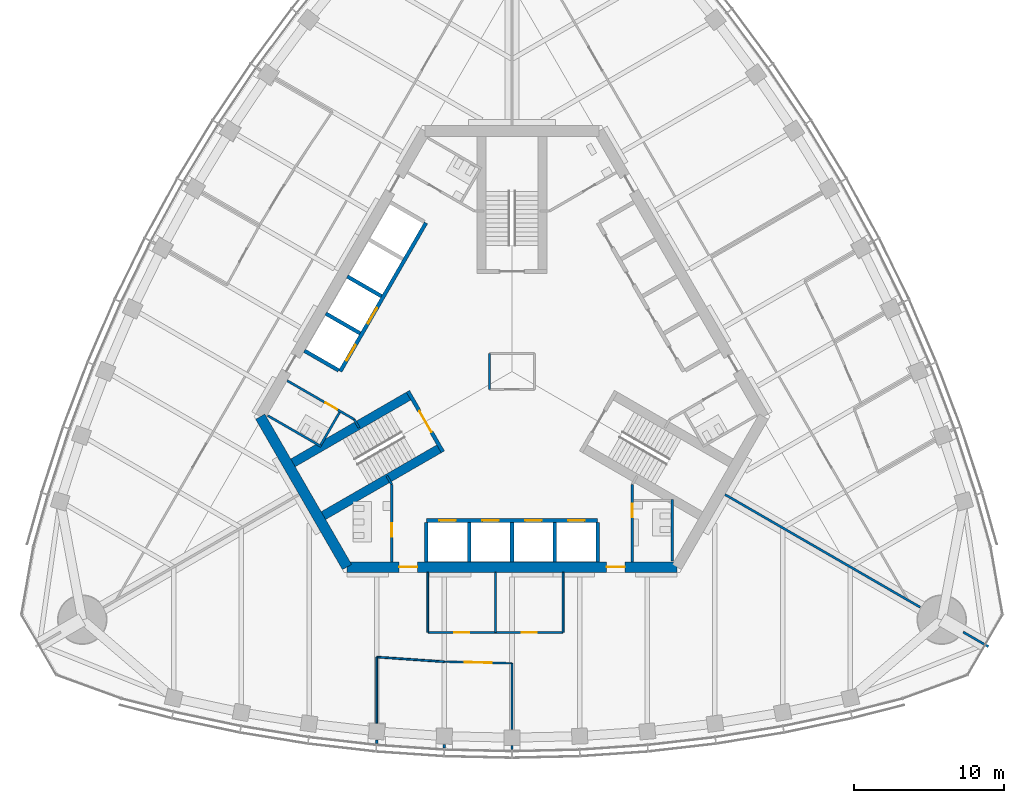
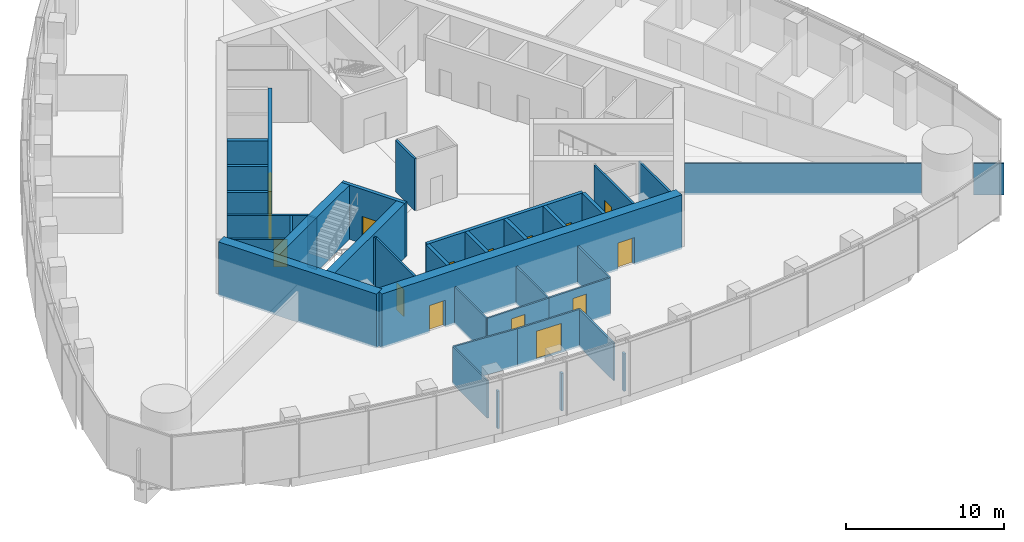
# One storey, part 11 of 19: 38 walls, 15 doors, 15 openings.
"""IFC4 building model written with IfcOpenShell, lengths in metres."""

from ifc_helpers import new_model, si_unit, direction, frame, frame_2d, origin, place, context, subcontext, project, spatial, rectangle, extrude, material, layer, layer_set, type_object, element, fill, save


model = new_model("IFC4")

# Units and contexts
model_context = context("Model", 3, precision=1e-05, world=origin(), true_north=direction((0.0, 1.0)))
body_context = subcontext(model_context, "Body", "Model", "MODEL_VIEW")
ifc_project = project(units=[si_unit("LENGTHUNIT", "METRE"), si_unit("AREAUNIT", "SQUARE_METRE"), si_unit("VOLUMEUNIT", "CUBIC_METRE"), si_unit("PLANEANGLEUNIT", "RADIAN"), si_unit("MASSUNIT", "GRAM", prefix="KILO")], contexts=[model_context])

# Site, building, storey
site_placement = place(None, origin())
site = spatial("IfcSite", under=ifc_project, at=site_placement, CompositionType="ELEMENT")
building_placement = place(site_placement, origin())
building = spatial("IfcBuilding", under=site, at=building_placement, Name="Trefoil Bronze Tower", CompositionType="ELEMENT")
storey_placement = place(building_placement, frame((0.0, 0.0, 240.10009765625)))
storey = spatial("IfcBuildingStorey", under=building, at=storey_placement, Name="L55", CompositionType="ELEMENT", Elevation=240.10009765625)

# Wall, openings, doors
ifc_material_1 = material(Name="Concrete B80", Category="concrete")
ifc_layer_1 = layer(ifc_material_1, 0.699951171875)
ifc_layer_set_1 = layer_set([ifc_layer_1], Name="Core wall 700")
wall_type_1 = type_object("IfcWallType", Name="Core wall 700", PredefinedType="SHEAR", material=ifc_layer_set_1)
wall_1_placement = place(storey_placement, frame((-10.9697265625, -13.0, 0.0), z_axis=(0.0, 0.0, 1.0), x_axis=(1.0, 0.0, 0.0)))
wall_1 = element("IfcWall", 1, at=wall_1_placement, inside=storey, type_object=wall_type_1, Name="Core long wall 1 L55", PredefinedType="SHEAR", context=body_context, shape_type="SweptSolid", body=[
    extrude(rectangle(XDim=21.939453125, YDim=0.699951171875, at=frame_2d((10.9697265625, 0.0))), origin(), (0.0, 0.0, 1.0), 4.199951171875),
])
opening_1_placement = place(wall_1_placement, frame((17.269775390625, 0.0, 0.0)))
opening_1 = element("IfcOpeningElement", 2, at=opening_1_placement, cuts=wall_1, Name="Opening D2", PredefinedType="OPENING", context=body_context, shape_type="SweptSolid", body=[
    extrude(rectangle(XDim=1.199951171875, YDim=2.10009765625, at=frame_2d((0.60009765625, 1.050048828125))), frame((0.0, 0.35986328125, 0.0), z_axis=(0.0, -1.0, 0.0), x_axis=(1.0, 0.0, 0.0)), (0.0, 0.0, 1.0), 0.719970703125),
])
opening_2_placement = place(wall_1_placement, frame((3.4697265625, 0.0, 0.0)))
opening_2 = element("IfcOpeningElement", 3, at=opening_2_placement, cuts=wall_1, Name="Opening D2", PredefinedType="OPENING", context=body_context, shape_type="SweptSolid", body=[
    extrude(rectangle(XDim=1.199951171875, YDim=2.10009765625, at=frame_2d((0.60009765625, 1.050048828125))), frame((0.0, 0.35986328125, 0.0), z_axis=(0.0, -1.0, 0.0), x_axis=(1.0, 0.0, 0.0)), (0.0, 0.0, 1.0), 0.719970703125),
])
ifc_material_2 = material(Name="Steel door", Category="steel")
door_type_1 = type_object("IfcDoorType", Name="Lobby door 1200", OperationType="SINGLE_SWING_RIGHT", PredefinedType="DOOR", material=ifc_material_2)
door_1_placement = place(opening_1_placement, origin())
door_1 = element("IfcDoor", 4, at=door_1_placement, inside=storey, type_object=door_type_1, Name="Lobby door F1+ L55", OperationType="SINGLE_SWING_RIGHT", OverallHeight=2.10009765625, OverallWidth=1.199951171875, PredefinedType="DOOR", context=body_context, shape_type="SweptSolid", body=[
    extrude(rectangle(XDim=1.199951171875, YDim=2.10009765625, at=frame_2d((0.60009765625, 1.050048828125))), frame((0.0, 0.02490234375, 0.0), z_axis=(0.0, -1.0, 0.0), x_axis=(1.0, 0.0, 0.0)), (0.0, 0.0, 1.0), 0.050048828125),
])
fill(opening_1, door_1)
door_2_placement = place(opening_2_placement, origin())
door_2 = element("IfcDoor", 5, at=door_2_placement, inside=storey, type_object=door_type_1, Name="Lobby door F1- L55", OperationType="SINGLE_SWING_LEFT", OverallHeight=2.10009765625, OverallWidth=1.199951171875, PredefinedType="DOOR", context=body_context, shape_type="SweptSolid", body=[
    extrude(rectangle(XDim=1.199951171875, YDim=2.10009765625, at=frame_2d((0.60009765625, 1.050048828125))), frame((0.0, 0.02490234375, 0.0), z_axis=(0.0, -1.0, 0.0), x_axis=(1.0, 0.0, 0.0)), (0.0, 0.0, 1.0), 0.050048828125),
])
fill(opening_2, door_2)

# Wall
wall_2_placement = place(storey_placement, frame((-16.7431640625, -3.0, 0.0), z_axis=(0.0, 0.0, 1.0), x_axis=(0.499995765644, -0.866027848477, 0.0)))
element("IfcWall", 6, at=wall_2_placement, inside=storey, type_object=wall_type_1, Name="Core short wall 3 L55", PredefinedType="SHEAR", context=body_context, shape_type="SweptSolid", body=[
    extrude(rectangle(XDim=11.546875, YDim=0.699951171875, at=frame_2d((5.7734375, 0.0))), origin(), (0.0, 0.0, 1.0), 4.199951171875),
])

# Wall, opening, door
ifc_material_3 = material(Name="Glazed partition", Category="glass")
ifc_layer_2 = layer(ifc_material_3, 0.1201171875)
ifc_layer_set_2 = layer_set([ifc_layer_2], Name="Glazed partition 120")
wall_type_2 = type_object("IfcWallType", Name="Glazed partition 120", PredefinedType="PARTITIONING", material=ifc_layer_set_2)
wall_3_placement = place(storey_placement, frame((-1.10009765625, -17.35009765625, 0.0), z_axis=(0.0, 0.0, 1.0), x_axis=(1.0, 0.0, 0.0)))
wall_3 = element("IfcWall", 7, at=wall_3_placement, inside=storey, type_object=wall_type_2, Name="Partition F1 L55", PredefinedType="PARTITIONING", context=body_context, shape_type="SweptSolid", body=[
    extrude(rectangle(XDim=4.5, YDim=0.1201171875, at=frame_2d((2.25, 0.0))), origin(), (0.0, 0.0, 1.0), 2.89990234375),
])
opening_3_placement = place(wall_3_placement, frame((1.75, 0.0, 0.14990234375)))
opening_3 = element("IfcOpeningElement", 8, at=opening_3_placement, cuts=wall_3, Name="Opening D9", PredefinedType="OPENING", context=body_context, shape_type="SweptSolid", body=[
    extrude(rectangle(XDim=1.0, YDim=2.10009765625, at=frame_2d((0.5, 1.050048828125))), frame((0.0, 0.070068359375, 0.0), z_axis=(0.0, -1.0, 0.0), x_axis=(1.0, 0.0, 0.0)), (0.0, 0.0, 1.0), 0.14013671875),
])
ifc_material_4 = material(Name="Glazed timber door", Category="wood")
door_type_2 = type_object("IfcDoorType", Name="Meeting room door 1000", OperationType="SINGLE_SWING_LEFT", PredefinedType="DOOR", material=ifc_material_4)
door_3_placement = place(opening_3_placement, origin())
door_3 = element("IfcDoor", 9, at=door_3_placement, inside=storey, type_object=door_type_2, Name="Project room door F1 L55", OperationType="SINGLE_SWING_LEFT", OverallHeight=2.10009765625, OverallWidth=1.0, PredefinedType="DOOR", context=body_context, shape_type="SweptSolid", body=[
    extrude(rectangle(XDim=1.0, YDim=2.10009765625, at=frame_2d((0.5, 1.050048828125))), frame((0.0, 0.02490234375, 0.0), z_axis=(0.0, -1.0, 0.0), x_axis=(1.0, 0.0, 0.0)), (0.0, 0.0, 1.0), 0.050048828125),
])
fill(opening_3, door_3)

wall_4_placement = place(storey_placement, frame((-5.60009765625, -17.35009765625, 0.0), z_axis=(0.0, 0.0, 1.0), x_axis=(1.0, 0.0, 0.0)))
wall_4 = element("IfcWall", 10, at=wall_4_placement, inside=storey, type_object=wall_type_2, Name="Partition F1 L55", PredefinedType="PARTITIONING", context=body_context, shape_type="SweptSolid", body=[
    extrude(rectangle(XDim=4.5, YDim=0.1201171875, at=frame_2d((2.25, 0.0))), origin(), (0.0, 0.0, 1.0), 2.89990234375),
])
opening_4_placement = place(wall_4_placement, frame((1.75, 0.0, 0.14990234375)))
opening_4 = element("IfcOpeningElement", 11, at=opening_4_placement, cuts=wall_4, Name="Opening D9", PredefinedType="OPENING", context=body_context, shape_type="SweptSolid", body=[
    extrude(rectangle(XDim=1.0, YDim=2.10009765625, at=frame_2d((0.5, 1.050048828125))), frame((0.0, 0.070068359375, 0.0), z_axis=(0.0, -1.0, 0.0), x_axis=(1.0, 0.0, 0.0)), (0.0, 0.0, 1.0), 0.14013671875),
])
door_4_placement = place(opening_4_placement, origin())
door_4 = element("IfcDoor", 12, at=door_4_placement, inside=storey, type_object=door_type_2, Name="Project room door F1 L55", OperationType="SINGLE_SWING_LEFT", OverallHeight=2.10009765625, OverallWidth=1.0, PredefinedType="DOOR", context=body_context, shape_type="SweptSolid", body=[
    extrude(rectangle(XDim=1.0, YDim=2.10009765625, at=frame_2d((0.5, 1.050048828125))), frame((0.0, 0.02490234375, 0.0), z_axis=(0.0, -1.0, 0.0), x_axis=(1.0, 0.0, 0.0)), (0.0, 0.0, 1.0), 0.050048828125),
])
fill(opening_4, door_4)

# Walls
for number, where, z_axis, x_axis, name in (
    (13, (3.39990234375, -13.35009765625, 0.0), (0.0, 0.0, 1.0), (0.0, -1.0, 0.0), "Partition F1 L55"),
    (14, (-1.10009765625, -13.35009765625, 0.0), (0.0, 0.0, 1.0), (0.0, -1.0, 0.0), "Partition F1 L55"),
    (15, (-5.60009765625, -13.35009765625, 0.0), (0.0, 0.0, 1.0), (0.0, -1.0, 0.0), "Partition F1 L55"),
):
    element("IfcWall", number, at=place(storey_placement, frame(where, z_axis=z_axis, x_axis=x_axis)), inside=storey, type_object=wall_type_2, Name=name, PredefinedType="PARTITIONING", context=body_context, shape_type="SweptSolid", body=[
        extrude(rectangle(XDim=4.0, YDim=0.1201171875, at=frame_2d((2.0, 0.0))), origin(), (0.0, 0.0, 1.0), 2.89990234375),
    ])

# Wall, opening, door
wall_5_placement = place(storey_placement, frame((-4.5, -19.297119140625, 0.0), z_axis=(0.0, 0.0, 1.0), x_axis=(0.99973552509, -0.022997388381, 0.0)))
wall_5 = element("IfcWall", 16, at=wall_5_placement, inside=storey, type_object=wall_type_2, Name="Partition F1 L55", PredefinedType="PARTITIONING", context=body_context, shape_type="SweptSolid", body=[
    extrude(rectangle(XDim=4.501220703125, YDim=0.1201171875, at=frame_2d((2.25048828125, 0.0))), origin(), (0.0, 0.0, 1.0), 2.89990234375),
])
opening_5_placement = place(wall_5_placement, frame((1.35009765625, 0.0, 0.14990234375)))
opening_5 = element("IfcOpeningElement", 17, at=opening_5_placement, cuts=wall_5, Name="Opening D10", PredefinedType="OPENING", context=body_context, shape_type="SweptSolid", body=[
    extrude(rectangle(XDim=1.800048828125, YDim=2.10009765625, at=frame_2d((0.89990234375, 1.050048828125))), frame((0.0, 0.070068359375, 0.0), z_axis=(0.0, -1.0, 0.0), x_axis=(1.0, 0.0, 0.0)), (0.0, 0.0, 1.0), 0.14013671875),
])
ifc_material_5 = material(Name="Timber door", Category="wood")
door_type_3 = type_object("IfcDoorType", Name="Double door 1800", OperationType="DOUBLE_DOOR_SINGLE_SWING", PredefinedType="DOOR", material=ifc_material_5)
door_5_placement = place(opening_5_placement, frame((1.800048828125, 0.0, 0.0), z_axis=(0.0, 0.0, 1.0), x_axis=(-1.0, 0.0, 0.0)))
door_5 = element("IfcDoor", 18, at=door_5_placement, inside=storey, type_object=door_type_3, Name="Kitchen and breakout door F1 L55", OperationType="DOUBLE_DOOR_SINGLE_SWING", OverallHeight=2.10009765625, OverallWidth=1.800048828125, PredefinedType="DOOR", context=body_context, shape_type="SweptSolid", body=[
    extrude(rectangle(XDim=1.800048828125, YDim=2.10009765625, at=frame_2d((0.89990234375, 1.050048828125))), frame((0.0, 0.02490234375, 0.0), z_axis=(0.0, -1.0, 0.0), x_axis=(1.0, 0.0, 0.0)), (0.0, 0.0, 1.0), 0.050048828125),
])
fill(opening_5, door_5)

# Walls
wall_6_placement = place(storey_placement, frame((-9.0, -18.986328125, 0.0), z_axis=(0.0, 0.0, 1.0), x_axis=(0.997623533978, -0.068900540297, 0.0)))
element("IfcWall", 19, at=wall_6_placement, inside=storey, type_object=wall_type_2, Name="Partition F1 L55", PredefinedType="PARTITIONING", context=body_context, shape_type="SweptSolid", body=[
    extrude(rectangle(XDim=4.5107421875, YDim=0.1201171875, at=frame_2d((2.25537109375, 0.0))), origin(), (0.0, 0.0, 1.0), 2.89990234375),
])
wall_7_placement = place(storey_placement, frame((0.0, -19.400634765625, 0.0), z_axis=(0.0, 0.0, 1.0), x_axis=(0.0, -1.0, 0.0)))
element("IfcWall", 20, at=wall_7_placement, inside=storey, type_object=wall_type_2, Name="Partition F1 L55", PredefinedType="PARTITIONING", context=body_context, shape_type="SweptSolid", body=[
    extrude(rectangle(XDim=4.39501953125, YDim=0.1201171875, at=frame_2d((2.197509765625, 0.0))), origin(), (0.0, 0.0, 1.0), 2.89990234375),
])
wall_8_placement = place(storey_placement, frame((-9.0, -18.986328125, 0.0), z_axis=(0.0, 0.0, 1.0), x_axis=(0.0, -1.0, 0.0)))
element("IfcWall", 21, at=wall_8_placement, inside=storey, type_object=wall_type_2, Name="Partition F1 L55", PredefinedType="PARTITIONING", context=body_context, shape_type="SweptSolid", body=[
    extrude(rectangle(XDim=4.389404296875, YDim=0.1201171875, at=frame_2d((2.19482421875, 0.0))), origin(), (0.0, 0.0, 1.0), 2.89990234375),
])

# Wall, opening, door
ifc_material_6 = material(Name="Gypsum board on steel studs", Category="steel")
ifc_layer_3 = layer(ifc_material_6, 0.14990234375)
ifc_layer_set_3 = layer_set([ifc_layer_3], Name="Partition 150")
wall_type_3 = type_object("IfcWallType", Name="Partition 150", PredefinedType="PARTITIONING", material=ifc_layer_set_3)
wall_9_placement = place(storey_placement, frame((8.0, -7.5, 0.0), z_axis=(0.0, 0.0, 1.0), x_axis=(0.0, -1.0, 0.0)))
wall_9 = element("IfcWall", 22, at=wall_9_placement, inside=storey, type_object=wall_type_3, Name="Passage wall F1+ L55", PredefinedType="PARTITIONING", context=body_context, shape_type="SweptSolid", body=[
    extrude(rectangle(XDim=5.14990234375, YDim=0.14990234375, at=frame_2d((2.574951171875, 0.0))), origin(), (0.0, 0.0, 1.0), 4.0),
])
opening_6_placement = place(wall_9_placement, frame((1.300048828125, 0.0, 0.0)))
opening_6 = element("IfcOpeningElement", 23, at=opening_6_placement, cuts=wall_9, Name="Opening D3", PredefinedType="OPENING", context=body_context, shape_type="SweptSolid", body=[
    extrude(rectangle(XDim=0.89990234375, YDim=2.10009765625, at=frame_2d((0.449951171875, 1.050048828125))), frame((0.0, 0.0849609375, 0.0), z_axis=(0.0, -1.0, 0.0), x_axis=(1.0, 0.0, 0.0)), (0.0, 0.0, 1.0), 0.169921875),
])
ifc_material_7 = material(Name="Timber door", Category="wood")
door_type_4 = type_object("IfcDoorType", Name="WC door 900", OperationType="SINGLE_SWING_LEFT", PredefinedType="DOOR", material=ifc_material_7)
door_6_placement = place(opening_6_placement, origin())
door_6 = element("IfcDoor", 24, at=door_6_placement, inside=storey, type_object=door_type_4, Name="WC (men) door L55", OperationType="SINGLE_SWING_LEFT", OverallHeight=2.10009765625, OverallWidth=0.89990234375, PredefinedType="DOOR", context=body_context, shape_type="SweptSolid", body=[
    extrude(rectangle(XDim=0.89990234375, YDim=2.10009765625, at=frame_2d((0.449951171875, 1.050048828125))), frame((0.0, 0.02490234375, 0.0), z_axis=(0.0, -1.0, 0.0), x_axis=(1.0, 0.0, 0.0)), (0.0, 0.0, 1.0), 0.050048828125),
])
fill(opening_6, door_6)

wall_10_placement = place(storey_placement, frame((-8.0, -7.5, 0.0), z_axis=(0.0, 0.0, 1.0), x_axis=(0.0, -1.0, 0.0)))
wall_10 = element("IfcWall", 25, at=wall_10_placement, inside=storey, type_object=wall_type_3, Name="Passage wall F1- L55", PredefinedType="PARTITIONING", context=body_context, shape_type="SweptSolid", body=[
    extrude(rectangle(XDim=5.14990234375, YDim=0.14990234375, at=frame_2d((2.574951171875, 0.0))), origin(), (0.0, 0.0, 1.0), 4.0),
])
opening_7_placement = place(wall_10_placement, frame((2.60009765625, 0.0, 0.0)))
opening_7 = element("IfcOpeningElement", 26, at=opening_7_placement, cuts=wall_10, Name="Opening D3", PredefinedType="OPENING", context=body_context, shape_type="SweptSolid", body=[
    extrude(rectangle(XDim=0.89990234375, YDim=2.10009765625, at=frame_2d((0.449951171875, 1.050048828125))), frame((0.0, 0.0849609375, 0.0), z_axis=(0.0, -1.0, 0.0), x_axis=(1.0, 0.0, 0.0)), (0.0, 0.0, 1.0), 0.169921875),
])
door_7_placement = place(opening_7_placement, frame((0.89990234375, 0.0, 0.0), z_axis=(0.0, 0.0, 1.0), x_axis=(-1.0, 0.0, 0.0)))
door_7 = element("IfcDoor", 27, at=door_7_placement, inside=storey, type_object=door_type_4, Name="WC (women) door L55", OperationType="SINGLE_SWING_LEFT", OverallHeight=2.10009765625, OverallWidth=0.89990234375, PredefinedType="DOOR", context=body_context, shape_type="SweptSolid", body=[
    extrude(rectangle(XDim=0.89990234375, YDim=2.10009765625, at=frame_2d((0.449951171875, 1.050048828125))), frame((0.0, 0.02490234375, 0.0), z_axis=(0.0, -1.0, 0.0), x_axis=(1.0, 0.0, 0.0)), (0.0, 0.0, 1.0), 0.050048828125),
])
fill(opening_7, door_7)

wall_11_placement = place(storey_placement, frame((-10.4951171875, -3.17822265625, 0.0), z_axis=(0.0, 0.0, 1.0), x_axis=(-0.866037967349, 0.499978238636, 0.0)))
wall_11 = element("IfcWall", 28, at=wall_11_placement, inside=storey, type_object=wall_type_3, Name="Passage wall F3+ L55", PredefinedType="PARTITIONING", context=body_context, shape_type="SweptSolid", body=[
    extrude(rectangle(XDim=5.150146484375, YDim=0.14990234375, at=frame_2d((2.5751953125, 0.0))), origin(), (0.0, 0.0, 1.0), 4.0),
])
opening_8_placement = place(wall_11_placement, frame((1.300048828125, 0.0, 0.0)))
opening_8 = element("IfcOpeningElement", 29, at=opening_8_placement, cuts=wall_11, Name="Opening D3", PredefinedType="OPENING", context=body_context, shape_type="SweptSolid", body=[
    extrude(rectangle(XDim=0.89990234375, YDim=2.10009765625, at=frame_2d((0.449951171875, 1.050048828125))), frame((0.0, 0.0849609375, 0.0), z_axis=(0.0, -1.0, 0.0), x_axis=(1.0, 0.0, 0.0)), (0.0, 0.0, 1.0), 0.169921875),
])
door_8_placement = place(opening_8_placement, origin())
door_8 = element("IfcDoor", 30, at=door_8_placement, inside=storey, type_object=door_type_4, Name="WC (men) door L55", OperationType="SINGLE_SWING_LEFT", OverallHeight=2.10009765625, OverallWidth=0.89990234375, PredefinedType="DOOR", context=body_context, shape_type="SweptSolid", body=[
    extrude(rectangle(XDim=0.89990234375, YDim=2.10009765625, at=frame_2d((0.449951171875, 1.050048828125))), frame((0.0, 0.02490234375, 0.0), z_axis=(0.0, -1.0, 0.0), x_axis=(1.0, 0.0, 0.0)), (0.0, 0.0, 1.0), 0.050048828125),
])
fill(opening_8, door_8)

# Walls
for number, where, z_axis, x_axis, name in (
    (31, (-10.4951171875, -3.17822265625, 0.0), (0.0, 0.0, 1.0), (0.499842556608, -0.866116284689, 0.0), "WC wall ST3-1 L55"),
    (32, (-8.0, -7.5, 0.0), (0.0, 0.0, 1.0), (-0.499842556608, 0.866116284689, 0.0), "WC wall ST3+1 L55"),
):
    element("IfcWall", number, at=place(storey_placement, frame(where, z_axis=z_axis, x_axis=x_axis)), inside=storey, type_object=wall_type_3, Name=name, PredefinedType="PARTITIONING", context=body_context, shape_type="SweptSolid", body=[
        extrude(rectangle(XDim=0.645263671875, YDim=0.14990234375, at=frame_2d((0.32275390625, 0.0))), origin(), (0.0, 0.0, 1.0), 4.0),
    ])
for number, where, z_axis, x_axis, name in (
    (33, (10.659912109375, -8.5, 0.0), (0.0, 0.0, 1.0), (0.0, -1.0, 0.0), "WC partition WC (men) L55"),
    (34, (-12.691162109375, -4.98193359375, 0.0), (0.0, 0.0, 1.0), (-0.8660249478, 0.500000789788, 0.0), "WC partition WC (men) L55"),
):
    element("IfcWall", number, at=place(storey_placement, frame(where, z_axis=z_axis, x_axis=x_axis)), inside=storey, type_object=wall_type_3, Name=name, PredefinedType="PARTITIONING", context=body_context, shape_type="SweptSolid", body=[
        extrude(rectangle(XDim=4.10009765625, YDim=0.14990234375, at=frame_2d((2.050048828125, 0.0))), origin(), (0.0, 0.0, 1.0), 4.0),
    ])
wall_12_placement = place(storey_placement, frame((-11.463623046875, -2.70556640625, 0.0), z_axis=(0.0, 0.0, 1.0), x_axis=(-0.50001992892, -0.866013897511, 0.0)))
element("IfcWall", 35, at=wall_12_placement, inside=storey, type_object=wall_type_3, Name="WC partition WC (men) L55", PredefinedType="PARTITIONING", context=body_context, shape_type="SweptSolid", body=[
    extrude(rectangle(XDim=2.51025390625, YDim=0.14990234375, at=frame_2d((1.255126953125, 0.0))), origin(), (0.0, 0.0, 1.0), 4.0),
])
wall_13_placement = place(storey_placement, frame((0.0, -24.879638671875, 0.0), z_axis=(0.0, 0.0, 1.0), x_axis=(0.0, -1.0, 0.0)))
element("IfcWall", 36, at=wall_13_placement, inside=storey, type_object=wall_type_3, Name="Partition F1 L55", PredefinedType="PARTITIONING", context=body_context, shape_type="SweptSolid", body=[
    extrude(rectangle(XDim=0.26611328125, YDim=0.14990234375, at=frame_2d((0.133056640625, 0.0))), origin(), (0.0, 0.0, 1.0), 2.89990234375),
])
wall_14_placement = place(storey_placement, frame((-4.5, -24.799072265625, 0.0), z_axis=(0.0, 0.0, 1.0), x_axis=(0.0, -1.0, 0.0)))
element("IfcWall", 37, at=wall_14_placement, inside=storey, type_object=wall_type_3, Name="Partition F1 L55", PredefinedType="PARTITIONING", context=body_context, shape_type="SweptSolid", body=[
    extrude(rectangle(XDim=0.2431640625, YDim=0.14990234375, at=frame_2d((0.12158203125, 0.0))), origin(), (0.0, 0.0, 1.0), 2.89990234375),
])
wall_15_placement = place(storey_placement, frame((-9.0, -24.508056640625, 0.0), z_axis=(0.0, 0.0, 1.0), x_axis=(0.0, -1.0, 0.0)))
element("IfcWall", 38, at=wall_15_placement, inside=storey, type_object=wall_type_3, Name="Partition F1 L55", PredefinedType="PARTITIONING", context=body_context, shape_type="SweptSolid", body=[
    extrude(rectangle(XDim=0.223388671875, YDim=0.14990234375, at=frame_2d((0.11181640625, 0.0))), origin(), (0.0, 0.0, 1.0), 2.89990234375),
])
ifc_material_8 = material(Name="Gypsum board on steel studs", Category="steel")
ifc_layer_4 = layer(ifc_material_8, 0.14990234375)
ifc_layer_set_4 = layer_set([ifc_layer_4], Name="Party wall 150")
wall_type_4 = type_object("IfcWallType", Name="Party wall 150", PredefinedType="PARTITIONING", material=ifc_layer_set_4)
wall_16_placement = place(storey_placement, frame((14.159423828125, -8.175048828125, 0.0), z_axis=(0.0, 0.0, 1.0), x_axis=(0.866027028085, -0.499997186618, 0.0)))
element("IfcWall", 39, at=wall_16_placement, inside=storey, type_object=wall_type_4, Name="Party wall K1 L55", PredefinedType="PARTITIONING", context=body_context, shape_type="SweptSolid", body=[
    extrude(rectangle(XDim=15.0, YDim=0.14990234375, at=frame_2d((7.5, 0.0))), origin(), (0.0, 0.0, 1.0), 2.39990234375),
])
wall_17_placement = place(storey_placement, frame((30.0078125, -17.324951171875, 0.0), z_axis=(0.0, 0.0, 1.0), x_axis=(0.866013246922, -0.500021055713, 0.0)))
element("IfcWall", 40, at=wall_17_placement, inside=storey, type_object=wall_type_4, Name="Party wall K1 L55", PredefinedType="PARTITIONING", context=body_context, shape_type="SweptSolid", body=[
    extrude(rectangle(XDim=1.9345703125, YDim=0.14990234375, at=frame_2d((0.96728515625, 0.0))), origin(), (0.0, 0.0, 1.0), 2.39990234375),
])
ifc_material_9 = material(Name="Gypsum board on steel studs", Category="steel")
ifc_layer_5 = layer(ifc_material_9, 0.14990234375)
ifc_layer_set_5 = layer_set([ifc_layer_5], Name="Riser wall 150")
wall_type_5 = type_object("IfcWallType", Name="Riser wall 150", PredefinedType="PARTITIONING", material=ifc_layer_set_5)
wall_18_placement = place(storey_placement, frame((-1.5, 1.199951171875, 0.0), z_axis=(0.0, 0.0, 1.0), x_axis=(0.0, -1.0, 0.0)))
element("IfcWall", 41, at=wall_18_placement, inside=storey, type_object=wall_type_5, Name="Riser wall L55", PredefinedType="PARTITIONING", context=body_context, shape_type="SweptSolid", body=[
    extrude(rectangle(XDim=2.39990234375, YDim=0.14990234375, at=frame_2d((1.199951171875, 0.0))), origin(), (0.0, 0.0, 1.0), 4.0),
])

# Wall, openings, doors
ifc_material_10 = material(Name="Concrete B80", Category="concrete")
ifc_layer_6 = layer(ifc_material_10, 0.25)
ifc_layer_set_6 = layer_set([ifc_layer_6], Name="Shaft wall 250")
wall_type_6 = type_object("IfcWallType", Name="Shaft wall 250", PredefinedType="SHEAR", material=ifc_layer_set_6)
wall_19_placement = place(storey_placement, frame((-5.699951171875, -9.89990234375, 0.0), z_axis=(0.0, 0.0, 1.0), x_axis=(1.0, 0.0, 0.0)))
wall_19 = element("IfcWall", 42, at=wall_19_placement, inside=storey, type_object=wall_type_6, Name="Lift shaft front wall A L55", PredefinedType="SHEAR", context=body_context, shape_type="SweptSolid", body=[
    extrude(rectangle(XDim=11.39990234375, YDim=0.25, at=frame_2d((5.699951171875, 0.0))), origin(), (0.0, 0.0, 1.0), 4.199951171875),
])
opening_9_placement = place(wall_19_placement, frame((0.875, 0.0, 0.0)))
opening_9 = element("IfcOpeningElement", 43, at=opening_9_placement, cuts=wall_19, Name="Opening LD-P31", PredefinedType="OPENING", context=body_context, shape_type="SweptSolid", body=[
    extrude(rectangle(XDim=1.10009765625, YDim=2.199951171875, at=frame_2d((0.550048828125, 1.10009765625))), frame((0.0, 0.135009765625, 0.0), z_axis=(0.0, -1.0, 0.0), x_axis=(1.0, 0.0, 0.0)), (0.0, 0.0, 1.0), 0.27001953125),
])
opening_10_placement = place(wall_19_placement, frame((3.72509765625, 0.0, 0.0)))
opening_10 = element("IfcOpeningElement", 44, at=opening_10_placement, cuts=wall_19, Name="Opening LD-P32", PredefinedType="OPENING", context=body_context, shape_type="SweptSolid", body=[
    extrude(rectangle(XDim=1.10009765625, YDim=2.199951171875, at=frame_2d((0.550048828125, 1.10009765625))), frame((0.0, 0.135009765625, 0.0), z_axis=(0.0, -1.0, 0.0), x_axis=(1.0, 0.0, 0.0)), (0.0, 0.0, 1.0), 0.27001953125),
])
opening_11_placement = place(wall_19_placement, frame((6.574951171875, 0.0, 0.0)))
opening_11 = element("IfcOpeningElement", 45, at=opening_11_placement, cuts=wall_19, Name="Opening LD-P33", PredefinedType="OPENING", context=body_context, shape_type="SweptSolid", body=[
    extrude(rectangle(XDim=1.10009765625, YDim=2.199951171875, at=frame_2d((0.550048828125, 1.10009765625))), frame((0.0, 0.135009765625, 0.0), z_axis=(0.0, -1.0, 0.0), x_axis=(1.0, 0.0, 0.0)), (0.0, 0.0, 1.0), 0.27001953125),
])
opening_12_placement = place(wall_19_placement, frame((9.425048828125, 0.0, 0.0)))
opening_12 = element("IfcOpeningElement", 46, at=opening_12_placement, cuts=wall_19, Name="Opening LD-P34", PredefinedType="OPENING", context=body_context, shape_type="SweptSolid", body=[
    extrude(rectangle(XDim=1.10009765625, YDim=2.199951171875, at=frame_2d((0.550048828125, 1.10009765625))), frame((0.0, 0.135009765625, 0.0), z_axis=(0.0, -1.0, 0.0), x_axis=(1.0, 0.0, 0.0)), (0.0, 0.0, 1.0), 0.27001953125),
])
ifc_material_11 = material(Name="Steel door", Category="steel")
door_type_5 = type_object("IfcDoorType", Name="Lift landing door 1100", OperationType="DOUBLE_DOOR_SLIDING", PredefinedType="DOOR", material=ifc_material_11)
door_9_placement = place(opening_9_placement, origin())
door_9 = element("IfcDoor", 47, at=door_9_placement, inside=storey, type_object=door_type_5, Name="Lift P31 landing door L55", OperationType="DOUBLE_DOOR_SLIDING", OverallHeight=2.199951171875, OverallWidth=1.10009765625, PredefinedType="DOOR", context=body_context, shape_type="SweptSolid", body=[
    extrude(rectangle(XDim=1.10009765625, YDim=2.199951171875, at=frame_2d((0.550048828125, 1.10009765625))), frame((0.0, 0.02490234375, 0.0), z_axis=(0.0, -1.0, 0.0), x_axis=(1.0, 0.0, 0.0)), (0.0, 0.0, 1.0), 0.050048828125),
])
fill(opening_9, door_9)
door_10_placement = place(opening_10_placement, origin())
door_10 = element("IfcDoor", 48, at=door_10_placement, inside=storey, type_object=door_type_5, Name="Lift P32 landing door L55", OperationType="DOUBLE_DOOR_SLIDING", OverallHeight=2.199951171875, OverallWidth=1.10009765625, PredefinedType="DOOR", context=body_context, shape_type="SweptSolid", body=[
    extrude(rectangle(XDim=1.10009765625, YDim=2.199951171875, at=frame_2d((0.550048828125, 1.10009765625))), frame((0.0, 0.02490234375, 0.0), z_axis=(0.0, -1.0, 0.0), x_axis=(1.0, 0.0, 0.0)), (0.0, 0.0, 1.0), 0.050048828125),
])
fill(opening_10, door_10)
door_11_placement = place(opening_11_placement, origin())
door_11 = element("IfcDoor", 49, at=door_11_placement, inside=storey, type_object=door_type_5, Name="Lift P33 landing door L55", OperationType="DOUBLE_DOOR_SLIDING", OverallHeight=2.199951171875, OverallWidth=1.10009765625, PredefinedType="DOOR", context=body_context, shape_type="SweptSolid", body=[
    extrude(rectangle(XDim=1.10009765625, YDim=2.199951171875, at=frame_2d((0.550048828125, 1.10009765625))), frame((0.0, 0.02490234375, 0.0), z_axis=(0.0, -1.0, 0.0), x_axis=(1.0, 0.0, 0.0)), (0.0, 0.0, 1.0), 0.050048828125),
])
fill(opening_11, door_11)
door_12_placement = place(opening_12_placement, origin())
door_12 = element("IfcDoor", 50, at=door_12_placement, inside=storey, type_object=door_type_5, Name="Lift P34 landing door L55", OperationType="DOUBLE_DOOR_SLIDING", OverallHeight=2.199951171875, OverallWidth=1.10009765625, PredefinedType="DOOR", context=body_context, shape_type="SweptSolid", body=[
    extrude(rectangle(XDim=1.10009765625, YDim=2.199951171875, at=frame_2d((0.550048828125, 1.10009765625))), frame((0.0, 0.02490234375, 0.0), z_axis=(0.0, -1.0, 0.0), x_axis=(1.0, 0.0, 0.0)), (0.0, 0.0, 1.0), 0.050048828125),
])
fill(opening_12, door_12)

# Walls
for number, where, z_axis, x_axis, name in (
    (51, (-5.699951171875, -10.02490234375, 0.0), (0.0, 0.0, 1.0), (0.0, -1.0, 0.0), "Lift shaft side wall A0 L55"),
    (52, (-2.85009765625, -10.02490234375, 0.0), (0.0, 0.0, 1.0), (0.0, -1.0, 0.0), "Lift shaft side wall A1 L55"),
    (53, (0.0, -10.02490234375, 0.0), (0.0, 0.0, 1.0), (0.0, -1.0, 0.0), "Lift shaft side wall A2 L55"),
    (54, (2.85009765625, -10.02490234375, 0.0), (0.0, 0.0, 1.0), (0.0, -1.0, 0.0), "Lift shaft side wall A3 L55"),
    (55, (5.699951171875, -10.02490234375, 0.0), (0.0, 0.0, 1.0), (0.0, -1.0, 0.0), "Lift shaft side wall A4 L55"),
):
    element("IfcWall", number, at=place(storey_placement, frame(where, z_axis=z_axis, x_axis=x_axis)), inside=storey, type_object=wall_type_6, Name=name, PredefinedType="SHEAR", context=body_context, shape_type="SweptSolid", body=[
        extrude(rectangle(XDim=2.625, YDim=0.25, at=frame_2d((1.3125, 0.0))), origin(), (0.0, 0.0, 1.0), 4.199951171875),
    ])

# Wall, openings, doors
wall_20_placement = place(storey_placement, frame((-5.7236328125, 9.88623046875, 0.0), z_axis=(0.0, 0.0, 1.0), x_axis=(-0.500001763848, -0.866024385424, 0.0)))
wall_20 = element("IfcWall", 56, at=wall_20_placement, inside=storey, type_object=wall_type_6, Name="Lift shaft front wall C L55", PredefinedType="SHEAR", context=body_context, shape_type="SweptSolid", body=[
    extrude(rectangle(XDim=11.39990234375, YDim=0.25, at=frame_2d((5.699951171875, 0.0))), origin(), (0.0, 0.0, 1.0), 4.199951171875),
])
opening_13_placement = place(wall_20_placement, frame((6.52490234375, 0.0, 0.0)))
opening_13 = element("IfcOpeningElement", 57, at=opening_13_placement, cuts=wall_20, Name="Opening LD-FL1", PredefinedType="OPENING", context=body_context, shape_type="SweptSolid", body=[
    extrude(rectangle(XDim=1.199951171875, YDim=2.199951171875, at=frame_2d((0.60009765625, 1.10009765625))), frame((0.0, 0.135009765625, 0.0), z_axis=(0.0, -1.0, 0.0), x_axis=(1.0, 0.0, 0.0)), (0.0, 0.0, 1.0), 0.27001953125),
])
opening_14_placement = place(wall_20_placement, frame((9.375, 0.0, 0.0)))
opening_14 = element("IfcOpeningElement", 58, at=opening_14_placement, cuts=wall_20, Name="Opening LD-FL2", PredefinedType="OPENING", context=body_context, shape_type="SweptSolid", body=[
    extrude(rectangle(XDim=1.199951171875, YDim=2.199951171875, at=frame_2d((0.60009765625, 1.10009765625))), frame((0.0, 0.135009765625, 0.0), z_axis=(0.0, -1.0, 0.0), x_axis=(1.0, 0.0, 0.0)), (0.0, 0.0, 1.0), 0.27001953125),
])
ifc_material_12 = material(Name="Steel door", Category="steel")
door_type_6 = type_object("IfcDoorType", Name="Lift landing door 1200", OperationType="DOUBLE_DOOR_SLIDING", PredefinedType="DOOR", material=ifc_material_12)
door_13_placement = place(opening_13_placement, origin())
door_13 = element("IfcDoor", 59, at=door_13_placement, inside=storey, type_object=door_type_6, Name="Lift FL1 landing door L55", OperationType="DOUBLE_DOOR_SLIDING", OverallHeight=2.199951171875, OverallWidth=1.199951171875, PredefinedType="DOOR", context=body_context, shape_type="SweptSolid", body=[
    extrude(rectangle(XDim=1.199951171875, YDim=2.199951171875, at=frame_2d((0.60009765625, 1.10009765625))), frame((0.0, 0.02490234375, 0.0), z_axis=(0.0, -1.0, 0.0), x_axis=(1.0, 0.0, 0.0)), (0.0, 0.0, 1.0), 0.050048828125),
])
fill(opening_13, door_13)
door_14_placement = place(opening_14_placement, origin())
door_14 = element("IfcDoor", 60, at=door_14_placement, inside=storey, type_object=door_type_6, Name="Lift FL2 landing door L55", OperationType="DOUBLE_DOOR_SLIDING", OverallHeight=2.199951171875, OverallWidth=1.199951171875, PredefinedType="DOOR", context=body_context, shape_type="SweptSolid", body=[
    extrude(rectangle(XDim=1.199951171875, YDim=2.199951171875, at=frame_2d((0.60009765625, 1.10009765625))), frame((0.0, 0.02490234375, 0.0), z_axis=(0.0, -1.0, 0.0), x_axis=(1.0, 0.0, 0.0)), (0.0, 0.0, 1.0), 0.050048828125),
])
fill(opening_14, door_14)

# Walls
for number, where, z_axis, x_axis, name in (
    (61, (-8.681884765625, 5.012451171875, 0.0), (0.0, 0.0, 1.0), (-0.866036909293, 0.499980071345, 0.0), "Lift shaft side wall C2 L55"),
    (62, (-10.10693359375, 2.54443359375, 0.0), (0.0, 0.0, 1.0), (-0.866013657776, 0.500020344131, 0.0), "Lift shaft side wall C3 L55"),
    (63, (-11.531982421875, 0.076171875, 0.0), (0.0, 0.0, 1.0), (-0.866013657776, 0.500020344131, 0.0), "Lift shaft side wall C4 L55"),
):
    element("IfcWall", number, at=place(storey_placement, frame(where, z_axis=z_axis, x_axis=x_axis)), inside=storey, type_object=wall_type_6, Name=name, PredefinedType="SHEAR", context=body_context, shape_type="SweptSolid", body=[
        extrude(rectangle(XDim=2.625, YDim=0.25, at=frame_2d((1.3125, 0.0))), origin(), (0.0, 0.0, 1.0), 4.199951171875),
    ])

# Wall, opening, door
wall_21_placement = place(storey_placement, frame((-6.921630859375, -1.3115234375, 0.0), z_axis=(0.0, 0.0, 1.0), x_axis=(0.499984536904, -0.866034331223, 0.0)))
wall_21 = element("IfcWall", 64, at=wall_21_placement, inside=storey, type_object=wall_type_6, Name="Stair end wall ST3 L55", PredefinedType="SHEAR", context=body_context, shape_type="SweptSolid", body=[
    extrude(rectangle(XDim=4.650146484375, YDim=0.25, at=frame_2d((2.3251953125, 0.0))), origin(), (0.0, 0.0, 1.0), 4.199951171875),
])
opening_15_placement = place(wall_21_placement, frame((1.52490234375, 0.0, 0.0)))
opening_15 = element("IfcOpeningElement", 65, at=opening_15_placement, cuts=wall_21, Name="Opening D1", PredefinedType="OPENING", context=body_context, shape_type="SweptSolid", body=[
    extrude(rectangle(XDim=1.60009765625, YDim=2.10009765625, at=frame_2d((0.800048828125, 1.050048828125))), frame((0.0, 0.135009765625, 0.0), z_axis=(0.0, -1.0, 0.0), x_axis=(1.0, 0.0, 0.0)), (0.0, 0.0, 1.0), 0.27001953125),
])
ifc_material_13 = material(Name="Steel door", Category="steel")
door_type_7 = type_object("IfcDoorType", Name="Stair door 1600", OperationType="DOUBLE_DOOR_SINGLE_SWING", PredefinedType="DOOR", material=ifc_material_13)
door_15_placement = place(opening_15_placement, frame((1.60009765625, 0.0, 0.0), z_axis=(0.0, 0.0, 1.0), x_axis=(-1.0, 0.0, 0.0)))
door_15 = element("IfcDoor", 66, at=door_15_placement, inside=storey, type_object=door_type_7, Name="Stair door ST3 L55", OperationType="DOUBLE_DOOR_SINGLE_SWING", OverallHeight=2.10009765625, OverallWidth=1.60009765625, PredefinedType="DOOR", context=body_context, shape_type="SweptSolid", body=[
    extrude(rectangle(XDim=1.60009765625, YDim=2.10009765625, at=frame_2d((0.800048828125, 1.050048828125))), frame((0.0, 0.02490234375, 0.0), z_axis=(0.0, -1.0, 0.0), x_axis=(1.0, 0.0, 0.0)), (0.0, 0.0, 1.0), 0.050048828125),
])
fill(opening_15, door_15)

# Walls
ifc_material_14 = material(Name="Concrete B80", Category="concrete")
ifc_layer_7 = layer(ifc_material_14, 0.60009765625)
ifc_layer_set_7 = layer_set([ifc_layer_7], Name="Stair wall 600")
wall_type_7 = type_object("IfcWallType", Name="Stair wall 600", PredefinedType="SHEAR", material=ifc_layer_set_7)
for number, where, z_axis, x_axis, name in (
    (67, (-6.663330078125, -1.5087890625, 0.0), (0.0, 0.0, 1.0), (-0.866028310072, -0.499994966129, 0.0), "Stair wall ST3 L55"),
    (68, (-4.638427734375, -5.01611328125, 0.0), (0.0, 0.0, 1.0), (-0.866021621257, -0.500006551472, 0.0), "Stair wall ST3 L55"),
):
    element("IfcWall", number, at=place(storey_placement, frame(where, z_axis=z_axis, x_axis=x_axis)), inside=storey, type_object=wall_type_7, Name=name, PredefinedType="SHEAR", context=body_context, shape_type="SweptSolid", body=[
        extrude(rectangle(XDim=9.125, YDim=0.60009765625, at=frame_2d((4.5625, 0.0))), origin(), (0.0, 0.0, 1.0), 4.199951171875),
    ])

save(model, "model.ifc")
